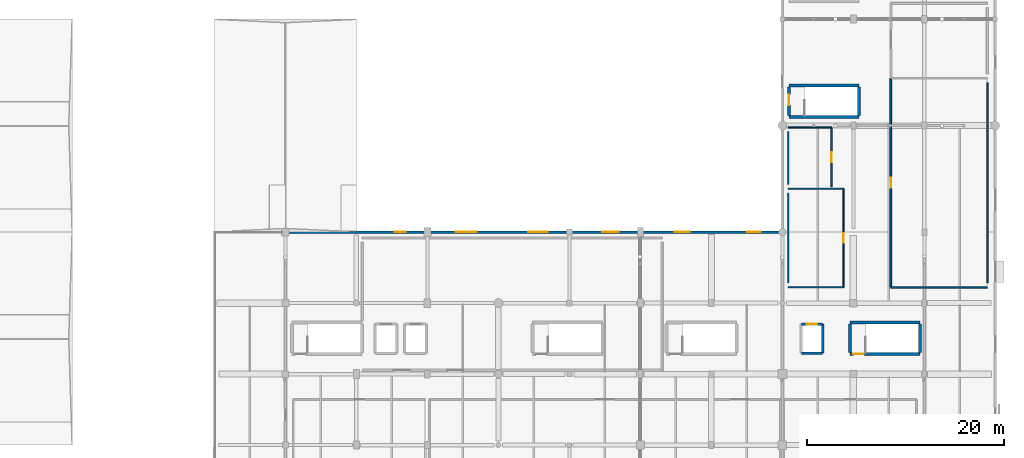
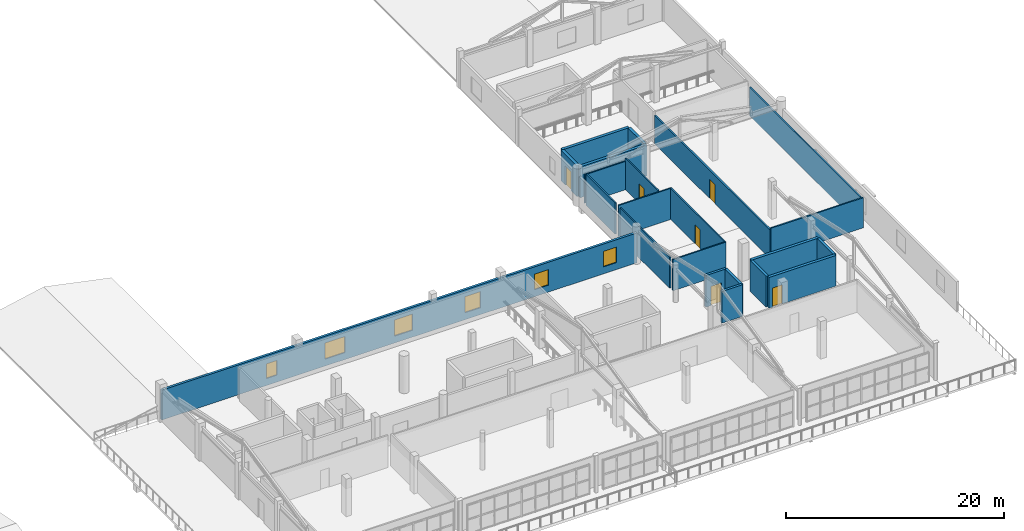
# One storey, part 35 of 41: 22 walls, 6 doors, 6 windows, 12 openings.
"""IFC4 building model written with IfcOpenShell, lengths in metres."""

from ifc_helpers import new_model, si_unit, direction, frame, frame_2d, origin, place, context, subcontext, project, spatial, rectangle, extrude, material, layer, layer_set, type_object, element, fill, save


model = new_model("IFC4")

# Units and contexts
model_context = context("Model", 3, precision=1e-05, world=origin(), true_north=direction((0.0, 1.0)))
body_context = subcontext(model_context, "Body", "Model", "MODEL_VIEW")
ifc_project = project(units=[si_unit("LENGTHUNIT", "METRE"), si_unit("AREAUNIT", "SQUARE_METRE"), si_unit("VOLUMEUNIT", "CUBIC_METRE"), si_unit("PLANEANGLEUNIT", "RADIAN"), si_unit("MASSUNIT", "GRAM", prefix="KILO")], contexts=[model_context])

# Site, building, storey
site_placement = place(None, origin())
site = spatial("IfcSite", under=ifc_project, at=site_placement, CompositionType="ELEMENT")
building_placement = place(site_placement, origin())
building = spatial("IfcBuilding", under=site, at=building_placement, Name="Solanera Park Tramway Depot", CompositionType="ELEMENT")
storey_placement = place(building_placement, frame((0.0, 0.0, 13.199951171875)))
storey = spatial("IfcBuildingStorey", under=building, at=storey_placement, Name="L03", CompositionType="ELEMENT", Elevation=13.199951171875)

# Walls
ifc_material_1 = material(Name="Concrete N32 (C32/40)", Category="concrete")
ifc_layer_1 = layer(ifc_material_1, 0.14990234375)
ifc_layer_set_1 = layer_set([ifc_layer_1], Name="Concrete N32 (C32/40)")
wall_type_1 = type_object("IfcWallType", Name="Acoustic Partition 150", PredefinedType="PARTITIONING", material=ifc_layer_set_1)
wall_1_placement = place(storey_placement, frame((186.39990234375, 26.800048828125, 0.0), z_axis=(0.0, 0.0, 1.0), x_axis=(-1.0, 0.0, 0.0)))
element("IfcWall", 1, at=wall_1_placement, inside=storey, type_object=wall_type_1, Name="Azotea Staff Lounge and Kitchenette Dividing Wall", PredefinedType="PARTITIONING", context=body_context, shape_type="SweptSolid", body=[
    extrude(rectangle(XDim=9.7998046875, YDim=0.14990234375, at=frame_2d((4.89990234375, 0.0))), origin(), (0.0, 0.0, 1.0), 3.379638671875),
])
wall_2_placement = place(storey_placement, frame((186.39990234375, 27.25, 0.0), z_axis=(0.0, 0.0, 1.0), x_axis=(0.0, 1.0, 0.0)))
element("IfcWall", 2, at=wall_2_placement, inside=storey, type_object=wall_type_1, Name="Azotea Staff Lounge and Kitchenette Dividing Wall", PredefinedType="PARTITIONING", context=body_context, shape_type="SweptSolid", body=[
    extrude(rectangle(XDim=20.300048828125, YDim=0.14990234375, at=frame_2d((10.14990234375, 0.0))), origin(), (0.0, 0.0, 1.0), 3.174560546875),
])

# Wall, opening, door
ifc_material_2 = material(Name="Concrete N32 (C32/40)", Category="concrete")
ifc_layer_2 = layer(ifc_material_2, 0.179931640625)
ifc_layer_set_2 = layer_set([ifc_layer_2], Name="Concrete N32 (C32/40)")
wall_type_2 = type_object("IfcWallType", Name="Cafe Separation Wall 180", PredefinedType="SOLIDWALL", material=ifc_layer_set_2)
wall_3_placement = place(storey_placement, frame((176.60009765625, 48.0, 0.0), z_axis=(0.0, 0.0, 1.0), x_axis=(0.0, -1.0, 0.0)))
wall_3 = element("IfcWall", 3, at=wall_3_placement, inside=storey, type_object=wall_type_2, Name="Azotea Staff Lounge and Kitchenette Corridor Wall", PredefinedType="SOLIDWALL", context=body_context, shape_type="SweptSolid", body=[
    extrude(rectangle(XDim=21.199951171875, YDim=0.179931640625, at=frame_2d((10.60009765625, 0.0))), origin(), (0.0, 0.0, 1.0), 3.174560546875),
])
opening_1_placement = place(wall_3_placement, frame((10.10009765625, 0.0, 0.0)))
opening_1 = element("IfcOpeningElement", 4, at=opening_1_placement, cuts=wall_3, Name="Opening FD-C1L", PredefinedType="OPENING", context=body_context, shape_type="SweptSolid", body=[
    extrude(rectangle(XDim=1.0, YDim=2.14990234375, at=frame_2d((0.5, 1.074951171875))), frame((0.0, 0.10009765625, 0.0), z_axis=(0.0, -1.0, 0.0), x_axis=(1.0, 0.0, 0.0)), (0.0, 0.0, 1.0), 0.199951171875),
])
ifc_material_3 = material(Name="Fire-rated steel or solid-core hardwood door leaf", Category="steel")
door_type_1 = type_object("IfcDoorType", Name="Compartment Fire Door L 1000x2150", OperationType="SINGLE_SWING_LEFT", PredefinedType="DOOR", material=ifc_material_3)
door_1_placement = place(opening_1_placement, origin())
door_1 = element("IfcDoor", 5, at=door_1_placement, inside=storey, type_object=door_type_1, Name="Azotea Staff Lounge and Kitchenette Door", OperationType="SINGLE_SWING_LEFT", OverallHeight=2.14990234375, OverallWidth=1.0, PredefinedType="DOOR", context=body_context, shape_type="SweptSolid", body=[
    extrude(rectangle(XDim=1.0, YDim=2.14990234375, at=frame_2d((0.5, 1.074951171875))), frame((0.0, 0.02490234375, 0.0), z_axis=(0.0, -1.0, 0.0), x_axis=(1.0, 0.0, 0.0)), (0.0, 0.0, 1.0), 0.050048828125),
])
fill(opening_1, door_1)

ifc_material_4 = material(Name="Concrete N40 (C40/50)", Category="concrete")
ifc_layer_3 = layer(ifc_material_4, 0.300048828125)
ifc_layer_set_3 = layer_set([ifc_layer_3], Name="Concrete N40 (C40/50)")
wall_type_3 = type_object("IfcWallType", Name="Core Shear Wall 300", PredefinedType="SHEAR", material=ifc_layer_set_3)
wall_4_placement = place(storey_placement, frame((172.449951171875, 20.050048828125, 0.0), z_axis=(0.0, 0.0, 1.0), x_axis=(1.0, 0.0, 0.0)))
wall_4 = element("IfcWall", 6, at=wall_4_placement, inside=storey, type_object=wall_type_3, Name="ST-04 L03 Shear Core Wall S", PredefinedType="SHEAR", context=body_context, shape_type="SweptSolid", body=[
    extrude(rectangle(XDim=7.10009765625, YDim=0.300048828125, at=frame_2d((3.550048828125, 0.0))), origin(), (0.0, 0.0, 1.0), 3.449951171875),
])
opening_2_placement = place(wall_4_placement, frame((0.35009765625, 0.0, 0.0)))
opening_2 = element("IfcOpeningElement", 7, at=opening_2_placement, cuts=wall_4, Name="Opening FD-S1R", PredefinedType="OPENING", context=body_context, shape_type="SweptSolid", body=[
    extrude(rectangle(XDim=1.070068359375, YDim=2.14990234375, at=frame_2d((0.53515625, 1.074951171875))), frame((0.0, 0.16015625, 0.0), z_axis=(0.0, -1.0, 0.0), x_axis=(1.0, 0.0, 0.0)), (0.0, 0.0, 1.0), 0.320068359375),
])
ifc_material_5 = material(Name="Fire-rated steel or solid-core hardwood door leaf", Category="steel")
door_type_2 = type_object("IfcDoorType", Name="Stair Fire Door R 1070x2150", OperationType="SINGLE_SWING_RIGHT", PredefinedType="DOOR", material=ifc_material_5)
door_2_placement = place(opening_2_placement, origin())
door_2 = element("IfcDoor", 8, at=door_2_placement, inside=storey, type_object=door_type_2, Name="ST-04 L03 Stair Fire Door", OperationType="SINGLE_SWING_RIGHT", OverallHeight=2.14990234375, OverallWidth=1.070068359375, PredefinedType="DOOR", context=body_context, shape_type="SweptSolid", body=[
    extrude(rectangle(XDim=1.070068359375, YDim=2.14990234375, at=frame_2d((0.53515625, 1.074951171875))), frame((0.0, 0.02490234375, 0.0), z_axis=(0.0, -1.0, 0.0), x_axis=(1.0, 0.0, 0.0)), (0.0, 0.0, 1.0), 0.050048828125),
])
fill(opening_2, door_2)

# Walls
wall_5_placement = place(storey_placement, frame((179.550048828125, 23.25, 0.0), z_axis=(0.0, 0.0, 1.0), x_axis=(-1.0, 0.0, 0.0)))
element("IfcWall", 9, at=wall_5_placement, inside=storey, type_object=wall_type_3, Name="ST-04 L03 Shear Core Wall N", PredefinedType="SHEAR", context=body_context, shape_type="SweptSolid", body=[
    extrude(rectangle(XDim=7.10009765625, YDim=0.300048828125, at=frame_2d((3.550048828125, 0.0))), origin(), (0.0, 0.0, 1.0), 3.449951171875),
])
for number, where, z_axis, x_axis, name in (
    (10, (179.550048828125, 20.199951171875, 0.0), (0.0, 0.0, 1.0), (0.0, 1.0, 0.0), "ST-04 L03 Shear Core Wall E"),
    (11, (172.449951171875, 23.10009765625, 0.0), (0.0, 0.0, 1.0), (0.0, -1.0, 0.0), "ST-04 L03 Shear Core Wall W"),
):
    element("IfcWall", number, at=place(storey_placement, frame(where, z_axis=z_axis, x_axis=x_axis)), inside=storey, type_object=wall_type_3, Name=name, PredefinedType="SHEAR", context=body_context, shape_type="SweptSolid", body=[
        extrude(rectangle(XDim=2.900146484375, YDim=0.300048828125, at=frame_2d((1.4501953125, 0.0))), origin(), (0.0, 0.0, 1.0), 3.449951171875),
    ])
for number, where, z_axis, x_axis, name in (
    (12, (166.25, 44.050048828125, 0.0), (0.0, 0.0, 1.0), (1.0, 0.0, 0.0), "ST-05 L03 Shear Core Wall S"),
    (13, (173.35009765625, 47.25, 0.0), (0.0, 0.0, 1.0), (-1.0, 0.0, 0.0), "ST-05 L03 Shear Core Wall N"),
):
    element("IfcWall", number, at=place(storey_placement, frame(where, z_axis=z_axis, x_axis=x_axis)), inside=storey, type_object=wall_type_3, Name=name, PredefinedType="SHEAR", context=body_context, shape_type="SweptSolid", body=[
        extrude(rectangle(XDim=7.10009765625, YDim=0.300048828125, at=frame_2d((3.550048828125, 0.0))), origin(), (0.0, 0.0, 1.0), 3.449951171875),
    ])
wall_6_placement = place(storey_placement, frame((173.35009765625, 44.199951171875, 0.0), z_axis=(0.0, 0.0, 1.0), x_axis=(0.0, 1.0, 0.0)))
element("IfcWall", 14, at=wall_6_placement, inside=storey, type_object=wall_type_3, Name="ST-05 L03 Shear Core Wall E", PredefinedType="SHEAR", context=body_context, shape_type="SweptSolid", body=[
    extrude(rectangle(XDim=2.900146484375, YDim=0.300048828125, at=frame_2d((1.4501953125, 0.0))), origin(), (0.0, 0.0, 1.0), 3.449951171875),
])

# Wall, opening, door
wall_7_placement = place(storey_placement, frame((166.25, 47.10009765625, 0.0), z_axis=(0.0, 0.0, 1.0), x_axis=(0.0, -1.0, 0.0)))
wall_7 = element("IfcWall", 15, at=wall_7_placement, inside=storey, type_object=wall_type_3, Name="ST-05 L03 Shear Core Wall W", PredefinedType="SHEAR", context=body_context, shape_type="SweptSolid", body=[
    extrude(rectangle(XDim=2.900146484375, YDim=0.300048828125, at=frame_2d((1.4501953125, 0.0))), origin(), (0.0, 0.0, 1.0), 3.449951171875),
])
opening_3_placement = place(wall_7_placement, frame((0.75, 0.0, 0.0)))
opening_3 = element("IfcOpeningElement", 16, at=opening_3_placement, cuts=wall_7, Name="Opening FD-S1R", PredefinedType="OPENING", context=body_context, shape_type="SweptSolid", body=[
    extrude(rectangle(XDim=1.070068359375, YDim=2.14990234375, at=frame_2d((0.53515625, 1.074951171875))), frame((0.0, 0.16015625, 0.0), z_axis=(0.0, -1.0, 0.0), x_axis=(1.0, 0.0, 0.0)), (0.0, 0.0, 1.0), 0.320068359375),
])
door_3_placement = place(opening_3_placement, origin())
door_3 = element("IfcDoor", 17, at=door_3_placement, inside=storey, type_object=door_type_2, Name="ST-05 L03 Stair Fire Door", OperationType="SINGLE_SWING_RIGHT", OverallHeight=2.14990234375, OverallWidth=1.070068359375, PredefinedType="DOOR", context=body_context, shape_type="SweptSolid", body=[
    extrude(rectangle(XDim=1.070068359375, YDim=2.14990234375, at=frame_2d((0.53515625, 1.074951171875))), frame((0.0, 0.02490234375, 0.0), z_axis=(0.0, -1.0, 0.0), x_axis=(1.0, 0.0, 0.0)), (0.0, 0.0, 1.0), 0.050048828125),
])
fill(opening_3, door_3)

# Wall, openings, windows
ifc_material_6 = material(Name="Concrete N32 (C32/40)", Category="concrete")
ifc_layer_4 = layer(ifc_material_6, 0.25)
ifc_layer_set_4 = layer_set([ifc_layer_4], Name="Concrete N32 (C32/40)")
wall_type_4 = type_object("IfcWallType", Name="Ext Stucco Wall 250", PredefinedType="SOLIDWALL", material=ifc_layer_set_4)
wall_8_placement = place(storey_placement, frame((165.60009765625, 32.39990234375, 0.0), z_axis=(0.0, 0.0, 1.0), x_axis=(-1.0, 0.0, 0.0)))
wall_8 = element("IfcWall", 18, at=wall_8_placement, inside=storey, type_object=wall_type_4, Name="L03 Exterior Wall #037", PredefinedType="SOLIDWALL", context=body_context, shape_type="SweptSolid", body=[
    extrude(rectangle(XDim=50.400146484375, YDim=0.25, at=frame_2d((25.2001953125, 0.0))), origin(), (0.0, 0.0, 1.0), 3.35009765625),
])
opening_4_placement = place(wall_8_placement, frame((2.199951171875, 0.0, 0.780029296875)))
opening_4 = element("IfcOpeningElement", 19, at=opening_4_placement, cuts=wall_8, Name="Opening WN-C13", PredefinedType="OPENING", context=body_context, shape_type="SweptSolid", body=[
    extrude(rectangle(XDim=1.35009765625, YDim=1.75, at=frame_2d((0.675048828125, 0.875))), frame((0.0, 0.135009765625, 0.0), z_axis=(0.0, -1.0, 0.0), x_axis=(1.0, 0.0, 0.0)), (0.0, 0.0, 1.0), 0.27001953125),
])
opening_5_placement = place(wall_8_placement, frame((9.39990234375, 0.0, 0.780029296875)))
opening_5 = element("IfcOpeningElement", 20, at=opening_5_placement, cuts=wall_8, Name="Opening WN-C15", PredefinedType="OPENING", context=body_context, shape_type="SweptSolid", body=[
    extrude(rectangle(XDim=1.5, YDim=1.75, at=frame_2d((0.75, 0.875))), frame((0.0, 0.135009765625, 0.0), z_axis=(0.0, -1.0, 0.0), x_axis=(1.0, 0.0, 0.0)), (0.0, 0.0, 1.0), 0.27001953125),
])
opening_6_placement = place(wall_8_placement, frame((16.60009765625, 0.0, 0.780029296875)))
opening_6 = element("IfcOpeningElement", 21, at=opening_6_placement, cuts=wall_8, Name="Opening WN-C16", PredefinedType="OPENING", context=body_context, shape_type="SweptSolid", body=[
    extrude(rectangle(XDim=1.64990234375, YDim=1.800048828125, at=frame_2d((0.824951171875, 0.89990234375))), frame((0.0, 0.135009765625, 0.0), z_axis=(0.0, -1.0, 0.0), x_axis=(1.0, 0.0, 0.0)), (0.0, 0.0, 1.0), 0.27001953125),
])
opening_7_placement = place(wall_8_placement, frame((23.800048828125, 0.0, 0.780029296875)))
opening_7 = element("IfcOpeningElement", 22, at=opening_7_placement, cuts=wall_8, Name="Opening WN-C19", PredefinedType="OPENING", context=body_context, shape_type="SweptSolid", body=[
    extrude(rectangle(XDim=1.949951171875, YDim=1.800048828125, at=frame_2d((0.97509765625, 0.89990234375))), frame((0.0, 0.135009765625, 0.0), z_axis=(0.0, -1.0, 0.0), x_axis=(1.0, 0.0, 0.0)), (0.0, 0.0, 1.0), 0.27001953125),
])
opening_8_placement = place(wall_8_placement, frame((31.0, 0.0, 0.780029296875)))
opening_8 = element("IfcOpeningElement", 23, at=opening_8_placement, cuts=wall_8, Name="Opening WN-C21", PredefinedType="OPENING", context=body_context, shape_type="SweptSolid", body=[
    extrude(rectangle(XDim=2.10009765625, YDim=1.800048828125, at=frame_2d((1.050048828125, 0.89990234375))), frame((0.0, 0.135009765625, 0.0), z_axis=(0.0, -1.0, 0.0), x_axis=(1.0, 0.0, 0.0)), (0.0, 0.0, 1.0), 0.27001953125),
])
opening_9_placement = place(wall_8_placement, frame((38.199951171875, 0.0, 0.780029296875)))
opening_9 = element("IfcOpeningElement", 24, at=opening_9_placement, cuts=wall_8, Name="Opening WN-C11", PredefinedType="OPENING", context=body_context, shape_type="SweptSolid", body=[
    extrude(rectangle(XDim=1.10009765625, YDim=1.64990234375, at=frame_2d((0.550048828125, 0.824951171875))), frame((0.0, 0.135009765625, 0.0), z_axis=(0.0, -1.0, 0.0), x_axis=(1.0, 0.0, 0.0)), (0.0, 0.0, 1.0), 0.27001953125),
])
ifc_material_7 = material(Name="Powder-coated aluminium frame with solar-control double glazing", Category="aluminium")
window_type_1 = type_object("IfcWindowType", Name="Cloister Casement Window 1100x1650", PartitioningType="SINGLE_PANEL", PredefinedType="WINDOW", material=ifc_material_7)
window_1_placement = place(opening_9_placement, origin())
window_1 = element("IfcWindow", 25, at=window_1_placement, inside=storey, type_object=window_type_1, Name="L03 Cloister Casement Window 1100x1650 #0157", OverallHeight=1.64990234375, OverallWidth=1.10009765625, PartitioningType="SINGLE_PANEL", PredefinedType="WINDOW", context=body_context, shape_type="SweptSolid", body=[
    extrude(rectangle(XDim=1.10009765625, YDim=1.64990234375, at=frame_2d((0.550048828125, 0.824951171875))), frame((0.0, 0.030029296875, 0.0), z_axis=(0.0, -1.0, 0.0), x_axis=(1.0, 0.0, 0.0)), (0.0, 0.0, 1.0), 0.06005859375),
])
fill(opening_9, window_1)
ifc_material_8 = material(Name="Powder-coated aluminium frame with solar-control double glazing", Category="aluminium")
window_type_2 = type_object("IfcWindowType", Name="Cloister Casement Window 1350x1750", PartitioningType="SINGLE_PANEL", PredefinedType="WINDOW", material=ifc_material_8)
window_2_placement = place(opening_4_placement, origin())
window_2 = element("IfcWindow", 26, at=window_2_placement, inside=storey, type_object=window_type_2, Name="L03 Cloister Casement Window 1350x1750 #0152", OverallHeight=1.75, OverallWidth=1.35009765625, PartitioningType="SINGLE_PANEL", PredefinedType="WINDOW", context=body_context, shape_type="SweptSolid", body=[
    extrude(rectangle(XDim=1.35009765625, YDim=1.75, at=frame_2d((0.675048828125, 0.875))), frame((0.0, 0.030029296875, 0.0), z_axis=(0.0, -1.0, 0.0), x_axis=(1.0, 0.0, 0.0)), (0.0, 0.0, 1.0), 0.06005859375),
])
fill(opening_4, window_2)
ifc_material_9 = material(Name="Powder-coated aluminium frame with solar-control double glazing", Category="aluminium")
window_type_3 = type_object("IfcWindowType", Name="Cloister Casement Window 1500x1750", PartitioningType="SINGLE_PANEL", PredefinedType="WINDOW", material=ifc_material_9)
window_3_placement = place(opening_5_placement, origin())
window_3 = element("IfcWindow", 27, at=window_3_placement, inside=storey, type_object=window_type_3, Name="L03 Cloister Casement Window 1500x1750 #0153", OverallHeight=1.75, OverallWidth=1.5, PartitioningType="SINGLE_PANEL", PredefinedType="WINDOW", context=body_context, shape_type="SweptSolid", body=[
    extrude(rectangle(XDim=1.5, YDim=1.75, at=frame_2d((0.75, 0.875))), frame((0.0, 0.030029296875, 0.0), z_axis=(0.0, -1.0, 0.0), x_axis=(1.0, 0.0, 0.0)), (0.0, 0.0, 1.0), 0.06005859375),
])
fill(opening_5, window_3)
ifc_material_10 = material(Name="Powder-coated aluminium frame with solar-control double glazing", Category="aluminium")
window_type_4 = type_object("IfcWindowType", Name="Cloister Casement Window 1650x1800", PartitioningType="SINGLE_PANEL", PredefinedType="WINDOW", material=ifc_material_10)
window_4_placement = place(opening_6_placement, origin())
window_4 = element("IfcWindow", 28, at=window_4_placement, inside=storey, type_object=window_type_4, Name="L03 Cloister Casement Window 1650x1800 #0154", OverallHeight=1.800048828125, OverallWidth=1.64990234375, PartitioningType="SINGLE_PANEL", PredefinedType="WINDOW", context=body_context, shape_type="SweptSolid", body=[
    extrude(rectangle(XDim=1.64990234375, YDim=1.800048828125, at=frame_2d((0.824951171875, 0.89990234375))), frame((0.0, 0.030029296875, 0.0), z_axis=(0.0, -1.0, 0.0), x_axis=(1.0, 0.0, 0.0)), (0.0, 0.0, 1.0), 0.06005859375),
])
fill(opening_6, window_4)
ifc_material_11 = material(Name="Powder-coated aluminium frame with solar-control double glazing", Category="aluminium")
window_type_5 = type_object("IfcWindowType", Name="Cloister Casement Window 1950x1800", PartitioningType="SINGLE_PANEL", PredefinedType="WINDOW", material=ifc_material_11)
window_5_placement = place(opening_7_placement, origin())
window_5 = element("IfcWindow", 29, at=window_5_placement, inside=storey, type_object=window_type_5, Name="L03 Cloister Casement Window 1950x1800 #0155", OverallHeight=1.800048828125, OverallWidth=1.949951171875, PartitioningType="SINGLE_PANEL", PredefinedType="WINDOW", context=body_context, shape_type="SweptSolid", body=[
    extrude(rectangle(XDim=1.949951171875, YDim=1.800048828125, at=frame_2d((0.97509765625, 0.89990234375))), frame((0.0, 0.030029296875, 0.0), z_axis=(0.0, -1.0, 0.0), x_axis=(1.0, 0.0, 0.0)), (0.0, 0.0, 1.0), 0.06005859375),
])
fill(opening_7, window_5)
ifc_material_12 = material(Name="Powder-coated aluminium frame with solar-control double glazing", Category="aluminium")
window_type_6 = type_object("IfcWindowType", Name="Cloister Casement Window 2100x1800", PartitioningType="SINGLE_PANEL", PredefinedType="WINDOW", material=ifc_material_12)
window_6_placement = place(opening_8_placement, origin())
window_6 = element("IfcWindow", 30, at=window_6_placement, inside=storey, type_object=window_type_6, Name="L03 Cloister Casement Window 2100x1800 #0156", OverallHeight=1.800048828125, OverallWidth=2.10009765625, PartitioningType="SINGLE_PANEL", PredefinedType="WINDOW", context=body_context, shape_type="SweptSolid", body=[
    extrude(rectangle(XDim=2.10009765625, YDim=1.800048828125, at=frame_2d((1.050048828125, 0.89990234375))), frame((0.0, 0.030029296875, 0.0), z_axis=(0.0, -1.0, 0.0), x_axis=(1.0, 0.0, 0.0)), (0.0, 0.0, 1.0), 0.06005859375),
])
fill(opening_8, window_6)

# Wall
ifc_material_13 = material(Name="Concrete N40 (C40/50)", Category="concrete")
ifc_layer_5 = layer(ifc_material_13, 0.25)
ifc_layer_set_5 = layer_set([ifc_layer_5], Name="Concrete N40 (C40/50)")
wall_type_5 = type_object("IfcWallType", Name="Lift Shaft Shear Wall 250", PredefinedType="SHEAR", material=ifc_layer_set_5)
wall_9_placement = place(storey_placement, frame((167.52490234375, 20.125, 0.0), z_axis=(0.0, 0.0, 1.0), x_axis=(1.0, 0.0, 0.0)))
element("IfcWall", 31, at=wall_9_placement, inside=storey, type_object=wall_type_5, Name="LF-03 L03 Lift Shaft Wall S", PredefinedType="SHEAR", context=body_context, shape_type="SweptSolid", body=[
    extrude(rectangle(XDim=2.150146484375, YDim=0.25, at=frame_2d((1.0751953125, 0.0))), origin(), (0.0, 0.0, 1.0), 3.550048828125),
])

# Wall, opening, door
wall_10_placement = place(storey_placement, frame((169.675048828125, 23.074951171875, 0.0), z_axis=(0.0, 0.0, 1.0), x_axis=(-1.0, 0.0, 0.0)))
wall_10 = element("IfcWall", 32, at=wall_10_placement, inside=storey, type_object=wall_type_5, Name="LF-03 L03 Lift Shaft Wall N", PredefinedType="SHEAR", context=body_context, shape_type="SweptSolid", body=[
    extrude(rectangle(XDim=2.150146484375, YDim=0.25, at=frame_2d((1.0751953125, 0.0))), origin(), (0.0, 0.0, 1.0), 3.550048828125),
])
opening_10_placement = place(wall_10_placement, frame((0.52490234375, 0.0, 0.0)))
opening_10 = element("IfcOpeningElement", 33, at=opening_10_placement, cuts=wall_10, Name="Opening LD-01", PredefinedType="OPENING", context=body_context, shape_type="SweptSolid", body=[
    extrude(rectangle(XDim=1.10009765625, YDim=2.14990234375, at=frame_2d((0.550048828125, 1.074951171875))), frame((0.0, 0.135009765625, 0.0), z_axis=(0.0, -1.0, 0.0), x_axis=(1.0, 0.0, 0.0)), (0.0, 0.0, 1.0), 0.27001953125),
])
ifc_material_14 = material(Name="Fire-rated steel or solid-core hardwood door leaf", Category="steel")
door_type_3 = type_object("IfcDoorType", Name="Lift Landing Sliding Door 1100x2150", OperationType="SLIDING_TO_LEFT", PredefinedType="DOOR", material=ifc_material_14)
door_4_placement = place(opening_10_placement, origin())
door_4 = element("IfcDoor", 34, at=door_4_placement, inside=storey, type_object=door_type_3, Name="LF-03 L03 Lift Landing Sliding Door", OperationType="SLIDING_TO_LEFT", OverallHeight=2.14990234375, OverallWidth=1.10009765625, PredefinedType="DOOR", context=body_context, shape_type="SweptSolid", body=[
    extrude(rectangle(XDim=1.10009765625, YDim=2.14990234375, at=frame_2d((0.550048828125, 1.074951171875))), frame((0.0, 0.02490234375, 0.0), z_axis=(0.0, -1.0, 0.0), x_axis=(1.0, 0.0, 0.0)), (0.0, 0.0, 1.0), 0.050048828125),
])
fill(opening_10, door_4)

# Walls
wall_11_placement = place(storey_placement, frame((169.675048828125, 20.125, 0.0), z_axis=(0.0, 0.0, 1.0), x_axis=(0.0, 1.0, 0.0)))
element("IfcWall", 35, at=wall_11_placement, inside=storey, type_object=wall_type_5, Name="LF-03 L03 Lift Shaft Wall E", PredefinedType="SHEAR", context=body_context, shape_type="SweptSolid", body=[
    extrude(rectangle(XDim=2.949951171875, YDim=0.25, at=frame_2d((1.47509765625, 0.0))), origin(), (0.0, 0.0, 1.0), 3.550048828125),
])
ifc_material_15 = material(Name="Concrete N32 (C32/40)", Category="concrete")
ifc_layer_6 = layer(ifc_material_15, 0.139892578125)
ifc_layer_set_6 = layer_set([ifc_layer_6], Name="Concrete N32 (C32/40)")
wall_type_6 = type_object("IfcWallType", Name="Wet Area Partition 140", PredefinedType="PARTITIONING", material=ifc_layer_set_6)
for number, where, z_axis, x_axis, name in (
    (36, (166.199951171875, 36.800048828125, 0.0), (0.0, 0.0, 1.0), (1.0, 0.0, 0.0), "Executive Level Male and Female WC L03 Dividing Wall"),
    (37, (171.800048828125, 26.800048828125, 0.0), (0.0, 0.0, 1.0), (-1.0, 0.0, 0.0), "Executive Level Male and Female WC L03 Dividing Wall"),
):
    element("IfcWall", number, at=place(storey_placement, frame(where, z_axis=z_axis, x_axis=x_axis)), inside=storey, type_object=wall_type_6, Name=name, PredefinedType="PARTITIONING", context=body_context, shape_type="SweptSolid", body=[
        extrude(rectangle(XDim=5.60009765625, YDim=0.139892578125, at=frame_2d((2.800048828125, 0.0))), origin(), (0.0, 0.0, 1.0), 3.5),
    ])
wall_12_placement = place(storey_placement, frame((166.199951171875, 36.35009765625, 0.0), z_axis=(0.0, 0.0, 1.0), x_axis=(0.0, -1.0, 0.0)))
element("IfcWall", 38, at=wall_12_placement, inside=storey, type_object=wall_type_6, Name="Executive Level Male and Female WC L03 Dividing Wall", PredefinedType="PARTITIONING", context=body_context, shape_type="SweptSolid", body=[
    extrude(rectangle(XDim=9.10009765625, YDim=0.139892578125, at=frame_2d((4.550048828125, 0.0))), origin(), (0.0, 0.0, 1.0), 3.5),
])

# Wall, opening, door
wall_13_placement = place(storey_placement, frame((171.800048828125, 26.800048828125, 0.0), z_axis=(0.0, 0.0, 1.0), x_axis=(0.0, 1.0, 0.0)))
wall_13 = element("IfcWall", 39, at=wall_13_placement, inside=storey, type_object=wall_type_6, Name="Executive Level Male and Female WC L03 Corridor Wall", PredefinedType="PARTITIONING", context=body_context, shape_type="SweptSolid", body=[
    extrude(rectangle(XDim=10.0, YDim=0.139892578125, at=frame_2d((5.0, 0.0))), origin(), (0.0, 0.0, 1.0), 3.5),
])
opening_11_placement = place(wall_13_placement, frame((4.510009765625, 0.0, 0.0)))
opening_11 = element("IfcOpeningElement", 40, at=opening_11_placement, cuts=wall_13, Name="Opening ID-W1L", PredefinedType="OPENING", context=body_context, shape_type="SweptSolid", body=[
    extrude(rectangle(XDim=0.97998046875, YDim=2.14990234375, at=frame_2d((0.489990234375, 1.074951171875))), frame((0.0, 0.080078125, 0.0), z_axis=(0.0, -1.0, 0.0), x_axis=(1.0, 0.0, 0.0)), (0.0, 0.0, 1.0), 0.159912109375),
])
ifc_material_16 = material(Name="Fire-rated steel or solid-core hardwood door leaf", Category="steel")
door_type_4 = type_object("IfcDoorType", Name="Accessible WC Door L 980x2150", OperationType="SINGLE_SWING_LEFT", PredefinedType="DOOR", material=ifc_material_16)
door_5_placement = place(opening_11_placement, origin())
door_5 = element("IfcDoor", 41, at=door_5_placement, inside=storey, type_object=door_type_4, Name="Executive Level Male and Female WC L03 Door", OperationType="SINGLE_SWING_LEFT", OverallHeight=2.14990234375, OverallWidth=0.97998046875, PredefinedType="DOOR", context=body_context, shape_type="SweptSolid", body=[
    extrude(rectangle(XDim=0.97998046875, YDim=2.14990234375, at=frame_2d((0.489990234375, 1.074951171875))), frame((0.0, 0.02490234375, 0.0), z_axis=(0.0, -1.0, 0.0), x_axis=(1.0, 0.0, 0.0)), (0.0, 0.0, 1.0), 0.050048828125),
])
fill(opening_11, door_5)

# Walls
wall_14_placement = place(storey_placement, frame((166.199951171875, 43.0, 0.0), z_axis=(0.0, 0.0, 1.0), x_axis=(1.0, 0.0, 0.0)))
element("IfcWall", 42, at=wall_14_placement, inside=storey, type_object=wall_type_6, Name="Executive Level Accessible WC L03 Dividing Wall", PredefinedType="PARTITIONING", context=body_context, shape_type="SweptSolid", body=[
    extrude(rectangle(XDim=4.400146484375, YDim=0.139892578125, at=frame_2d((2.2001953125, 0.0))), origin(), (0.0, 0.0, 1.0), 3.174560546875),
])
wall_15_placement = place(storey_placement, frame((166.199951171875, 42.550048828125, 0.0), z_axis=(0.0, 0.0, 1.0), x_axis=(0.0, -1.0, 0.0)))
element("IfcWall", 43, at=wall_15_placement, inside=storey, type_object=wall_type_6, Name="Executive Level Accessible WC L03 Dividing Wall", PredefinedType="PARTITIONING", context=body_context, shape_type="SweptSolid", body=[
    extrude(rectangle(XDim=5.300048828125, YDim=0.139892578125, at=frame_2d((2.64990234375, 0.0))), origin(), (0.0, 0.0, 1.0), 3.5),
])

# Wall, opening, door
wall_16_placement = place(storey_placement, frame((170.60009765625, 37.0, 0.0), z_axis=(0.0, 0.0, 1.0), x_axis=(0.0, 1.0, 0.0)))
wall_16 = element("IfcWall", 44, at=wall_16_placement, inside=storey, type_object=wall_type_6, Name="Executive Level Accessible WC L03 Corridor Wall", PredefinedType="PARTITIONING", context=body_context, shape_type="SweptSolid", body=[
    extrude(rectangle(XDim=6.0, YDim=0.139892578125, at=frame_2d((3.0, 0.0))), origin(), (0.0, 0.0, 1.0), 3.5),
])
opening_12_placement = place(wall_16_placement, frame((2.5048828125, 0.0, 0.0)))
opening_12 = element("IfcOpeningElement", 45, at=opening_12_placement, cuts=wall_16, Name="Opening ID-W1R", PredefinedType="OPENING", context=body_context, shape_type="SweptSolid", body=[
    extrude(rectangle(XDim=0.989990234375, YDim=2.14990234375, at=frame_2d((0.4951171875, 1.074951171875))), frame((0.0, 0.080078125, 0.0), z_axis=(0.0, -1.0, 0.0), x_axis=(1.0, 0.0, 0.0)), (0.0, 0.0, 1.0), 0.159912109375),
])
ifc_material_17 = material(Name="Fire-rated steel or solid-core hardwood door leaf", Category="steel")
door_type_5 = type_object("IfcDoorType", Name="Accessible WC Door R 990x2150", OperationType="SINGLE_SWING_RIGHT", PredefinedType="DOOR", material=ifc_material_17)
door_6_placement = place(opening_12_placement, origin())
door_6 = element("IfcDoor", 46, at=door_6_placement, inside=storey, type_object=door_type_5, Name="Executive Level Accessible WC L03 Door", OperationType="SINGLE_SWING_RIGHT", OverallHeight=2.14990234375, OverallWidth=0.989990234375, PredefinedType="DOOR", context=body_context, shape_type="SweptSolid", body=[
    extrude(rectangle(XDim=0.989990234375, YDim=2.14990234375, at=frame_2d((0.4951171875, 1.074951171875))), frame((0.0, 0.02490234375, 0.0), z_axis=(0.0, -1.0, 0.0), x_axis=(1.0, 0.0, 0.0)), (0.0, 0.0, 1.0), 0.050048828125),
])
fill(opening_12, door_6)

save(model, "model.ifc")
